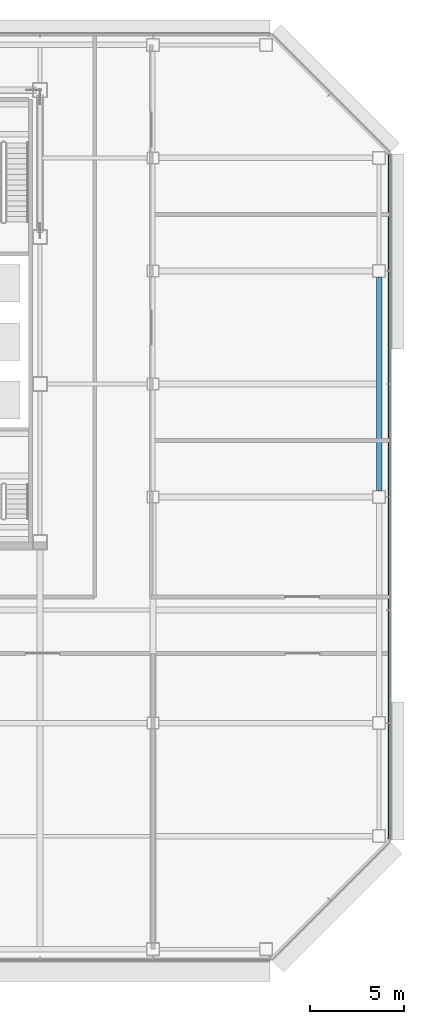
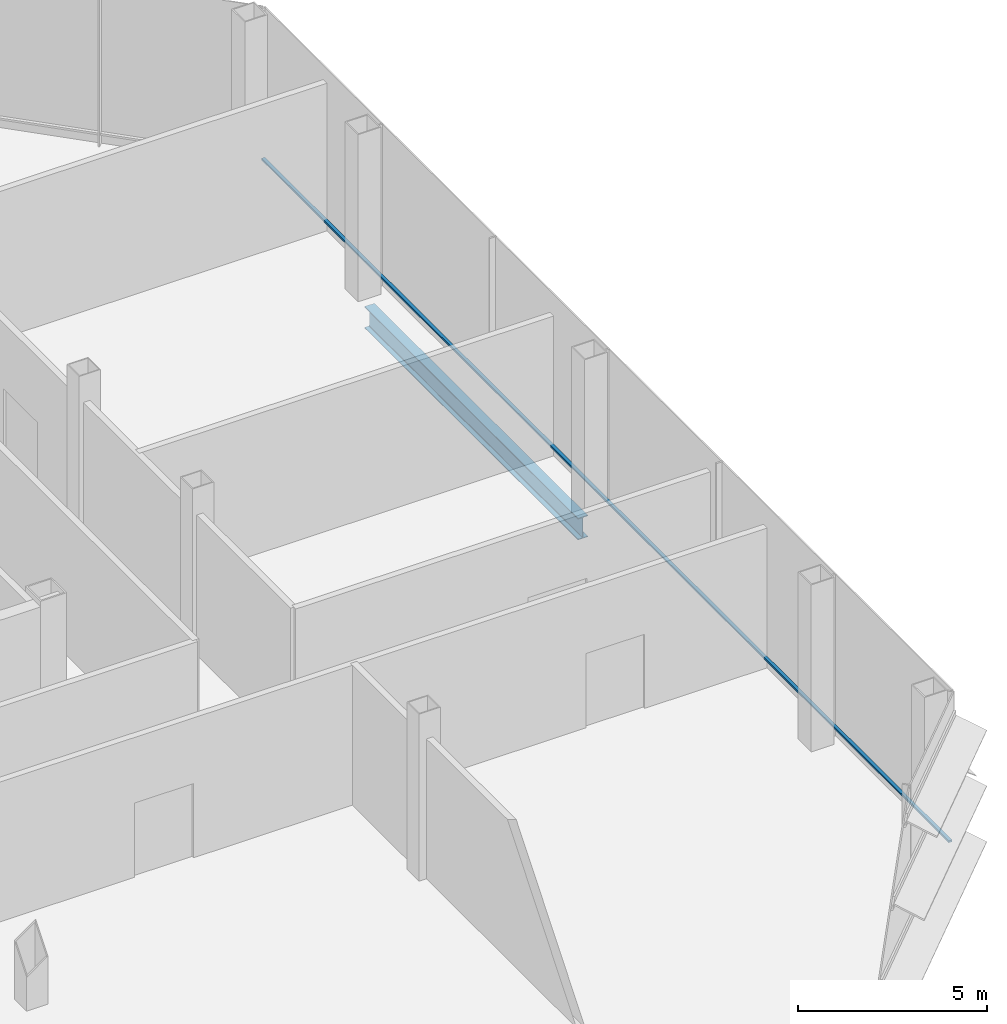
# One storey, part 13 of 24: 1 beam, 1 member, 1 element without a shape of its own.
"""IFC4 building model written with IfcOpenShell, lengths in metres."""

import ifcopenshell
import ifcopenshell.guid

model = None  # the IFC model being written
_history = None  # IfcOwnerHistory: only IFC2X3 demands one
_inside = {}  # id of a spatial element -> (the spatial element, [elements in it])
_under = {}  # id of a project, library or spatial element -> (it, [spatial elements below it])
_declared = {}  # id of a project -> (the project, [libraries it declares])
_typed = {}  # id of a type object -> (the type object, [elements of that type])
_made_of = {}  # id of a material, layer set ... -> (it, [elements and type objects made of it])


def new_model(schema):
    """Start an empty IFC model of exactly this schema.

    Asked for "IFC4X3", IfcOpenShell would pick the latest addendum, in which some entities
    have other attributes; the version numbers below select the first issue.
    IFC2X3 requires an IfcOwnerHistory on every rooted entity: one is made here for all.
    """
    global model, _history
    if schema == "IFC4X3":
        model = ifcopenshell.file(schema_version=(4, 3, 0, 0))
    else:
        model = ifcopenshell.file(schema=schema)
    _inside.clear()
    _under.clear()
    _declared.clear()
    _typed.clear()
    _made_of.clear()
    _history = None
    if model.schema == "IFC2X3":
        org = make("IfcOrganization", Name="unknown")
        user = make(
            "IfcPersonAndOrganization",
            ThePerson=make("IfcPerson", FamilyName="unknown"),
            TheOrganization=org,
        )
        app = make(
            "IfcApplication",
            ApplicationDeveloper=org,
            Version="unknown",
            ApplicationFullName="unknown",
            ApplicationIdentifier="unknown",
        )
        _history = make(
            "IfcOwnerHistory",
            OwningUser=user,
            OwningApplication=app,
            ChangeAction="ADDED",
            CreationDate=0,
        )
    return model


def make(cls, **values):
    """One entity of the class cls with the attributes given. An attribute that is None is left unset."""
    return model.create_entity(
        cls, **{name: value for name, value in values.items() if value is not None}
    )


def rooted(cls, **values):
    """An entity with a GlobalId (a new one), such as an element, a storey or a relation."""
    return make(cls, GlobalId=ifcopenshell.guid.new(), OwnerHistory=_history, **values)


def si_unit(unit_type, name, prefix=None):
    """IfcSIUnit, for example si_unit("LENGTHUNIT", "METRE", prefix="MILLI")."""
    return make("IfcSIUnit", UnitType=unit_type, Prefix=prefix, Name=name)


def assignment(units):
    """IfcUnitAssignment: the units of a project."""
    return None if units is None else make("IfcUnitAssignment", Units=units)


def point(xyz):
    """IfcCartesianPoint."""
    return None if xyz is None else make("IfcCartesianPoint", Coordinates=xyz)


def direction(xyz):
    """IfcDirection."""
    return None if xyz is None else make("IfcDirection", DirectionRatios=xyz)


def frame(location, z_axis=None, x_axis=None):
    """IfcAxis2Placement3D, a coordinate frame: its origin and axes. An axis left out is left unset."""
    return make(
        "IfcAxis2Placement3D",
        Location=point(location),
        Axis=direction(z_axis),
        RefDirection=direction(x_axis),
    )


def frame_2d(location, x_axis=None):
    """IfcAxis2Placement2D, a coordinate frame in the plane: its origin and x axis."""
    return make(
        "IfcAxis2Placement2D", Location=point(location), RefDirection=direction(x_axis)
    )


def origin():
    """The frame at (0, 0, 0) with its axes left unset."""
    return frame((0.0, 0.0, 0.0))


def origin_2d():
    """The frame at (0, 0) in the plane with its x axis left unset."""
    return frame_2d((0.0, 0.0))


def place(relative_to, where):
    """IfcLocalPlacement: puts the frame where relative to a parent placement (None: the world)."""
    return make(
        "IfcLocalPlacement", PlacementRelTo=relative_to, RelativePlacement=where
    )


def context(
    kind, dimensions, precision=None, world=None, true_north=None, identifier=None
):
    """IfcGeometricRepresentationContext, for example the 3D "Model" context."""
    return make(
        "IfcGeometricRepresentationContext",
        ContextIdentifier=identifier,
        ContextType=kind,
        CoordinateSpaceDimension=dimensions,
        Precision=precision,
        WorldCoordinateSystem=world,
        TrueNorth=true_north,
    )


def subcontext(parent, identifier, kind, view, scale=None):
    """IfcGeometricRepresentationSubContext, for example "Body" below "Model"."""
    return make(
        "IfcGeometricRepresentationSubContext",
        ContextIdentifier=identifier,
        ContextType=kind,
        ParentContext=parent,
        TargetScale=scale,
        TargetView=view,
    )


def project(units=None, contexts=None):
    """IfcProject with its units and contexts."""
    return rooted(
        "IfcProject",
        Name="project",
        RepresentationContexts=contexts,
        UnitsInContext=assignment(units),
    )


def spatial(cls, under=None, at=None, **own):
    """A site, building, storey or space (cls), placed at a placement, below another one or the project."""
    s = rooted(cls, ObjectPlacement=at, **own)
    if under is not None:
        _under.setdefault(under.id(), (under, []))[1].append(s)
    return s


def profile(cls, at=None, kind="AREA", **sizes):
    """A parametric profile (cls). Its sizes go by their IFC names, for example OverallWidth=200.0."""
    return make(cls, ProfileType=kind, Position=at, **sizes)


def rectangle(**sizes):
    """IfcRectangleProfileDef."""
    return profile("IfcRectangleProfileDef", **sizes)


def i_section(**sizes):
    """IfcIShapeProfileDef."""
    return profile("IfcIShapeProfileDef", **sizes)


def extrude(swept, where, along, depth):
    """IfcExtrudedAreaSolid: the profile swept, set in the frame where, extruded along a direction by depth."""
    return make(
        "IfcExtrudedAreaSolid",
        SweptArea=swept,
        Position=where,
        ExtrudedDirection=direction(along),
        Depth=depth,
    )


def shape(context_of_items, identifier, shape_type, items):
    """IfcShapeRepresentation: the items that make up one representation, for example the "Body"."""
    return make(
        "IfcShapeRepresentation",
        ContextOfItems=context_of_items,
        RepresentationIdentifier=identifier,
        RepresentationType=shape_type,
        Items=items,
    )


def material(Name=None, Category=None):
    """IfcMaterial."""
    return make("IfcMaterial", Name=Name, Category=Category)


def material_profile(
    of_material, cross_section, Name=None, Category=None, Priority=None
):
    """IfcMaterialProfile: a cross section and its material."""
    return make(
        "IfcMaterialProfile",
        Name=Name,
        Material=of_material,
        Profile=cross_section,
        Priority=Priority,
        Category=Category,
    )


def profile_set(profiles, Name=None, composite=None):
    """IfcMaterialProfileSet."""
    return make(
        "IfcMaterialProfileSet",
        Name=Name,
        MaterialProfiles=profiles,
        CompositeProfile=composite,
    )


def made_of(thing, what):
    """Note that an element or type object is made of a material, layer set ...; save() writes the relation."""
    if what is not None:
        _made_of.setdefault(what.id(), (what, []))[1].append(thing)
    return thing


def type_object(cls, material=None, **own):
    """A type object (cls), such as IfcWallType, which elements share."""
    return made_of(rooted(cls, **own), material)


def element(
    cls,
    number,
    at=None,
    inside=None,
    cuts=None,
    type_object=None,
    material=None,
    context=None,
    identifier="Body",
    shape_type=None,
    held_by="IfcProductDefinitionShape",
    body=None,
    shapes=None,
    **own,
):
    """One element of the class cls, such as IfcWall. Its Tag is "e" and its number.

    at: its placement. inside: the storey or other place that contains it. cuts: it is an
    opening in that element (IfcRelVoidsElement). A single representation is given by context,
    identifier, shape_type and body (its items); several are given by shapes. held_by: the class
    of the entity that holds the representations. save() writes the other relations.
    """
    e = rooted(cls, Tag="e%d" % number, ObjectPlacement=at, **own)
    if body is not None:
        shapes = [shape(context, identifier, shape_type, body)]
    if shapes is not None:
        e.Representation = make(held_by, Representations=shapes)
    if inside is not None:
        _inside.setdefault(inside.id(), (inside, []))[1].append(e)
    if cuts is not None:
        rooted(
            "IfcRelVoidsElement", RelatingBuildingElement=cuts, RelatedOpeningElement=e
        )
    if type_object is not None:
        _typed.setdefault(type_object.id(), (type_object, []))[1].append(e)
    return made_of(e, material)


def aggregate(whole, parts):
    """IfcRelAggregates: a whole, such as a stair, and the parts it consists of."""
    return rooted("IfcRelAggregates", RelatingObject=whole, RelatedObjects=parts)


def save(model, path):
    """Write the relations noted so far, then the file.

    IfcRelAggregates (storeys below a building ...), IfcRelContainedInSpatialStructure (elements
    in a storey), IfcRelDefinesByType, IfcRelAssociatesMaterial and IfcRelDeclares: one each for
    every whole, place, type object, material and project.
    """
    for whole, parts in _under.values():
        aggregate(whole, parts)
    for where, things in _inside.values():
        rooted(
            "IfcRelContainedInSpatialStructure",
            RelatedElements=things,
            RelatingStructure=where,
        )
    for kind, things in _typed.values():
        rooted("IfcRelDefinesByType", RelatedObjects=things, RelatingType=kind)
    for what, things in _made_of.values():
        rooted("IfcRelAssociatesMaterial", RelatedObjects=things, RelatingMaterial=what)
    for by, libraries in _declared.values():
        rooted("IfcRelDeclares", RelatingContext=by, RelatedDefinitions=libraries)
    model.write(path)


model = new_model("IFC4")

# Units and contexts
model_context = context("Model", 3, precision=1e-05, world=origin(), true_north=direction((0.0, 1.0)))
body_context = subcontext(model_context, "Body", "Model", "MODEL_VIEW")
ifc_project = project(units=[si_unit("LENGTHUNIT", "METRE"), si_unit("AREAUNIT", "SQUARE_METRE"), si_unit("VOLUMEUNIT", "CUBIC_METRE"), si_unit("PLANEANGLEUNIT", "RADIAN"), si_unit("MASSUNIT", "GRAM", prefix="KILO")], contexts=[model_context])

# Site, building, storey
site_placement = place(None, origin())
site = spatial("IfcSite", under=ifc_project, at=site_placement, CompositionType="ELEMENT")
building_placement = place(site_placement, origin())
building = spatial("IfcBuilding", under=site, at=building_placement, Name="Sorahane Residences", CompositionType="ELEMENT")
storey_placement = place(building_placement, frame((0.0, 0.0, 161.800048828125)))
storey = spatial("IfcBuildingStorey", under=building, at=storey_placement, Name="L37", CompositionType="ELEMENT", Elevation=161.800048828125)

# Curtain wall, member
ifc_material_1 = material(Name="Dark low-e glass and black anodised aluminium", Category="aluminium")
curtain_wall_type = type_object("IfcCurtainWallType", Name="Curtain wall CW-4 Sky floor frameless wall", PredefinedType="NOTDEFINED", material=ifc_material_1)
curtain_wall_placement = place(storey_placement, origin())
curtain_wall = element("IfcCurtainWall", 1, at=curtain_wall_placement, inside=storey, type_object=curtain_wall_type, Name="CW-4 curtain wall L37 E1", PredefinedType="NOTDEFINED")
ifc_material_2 = material(Name="Black anodised aluminium", Category="aluminium")
ifc_material_profile_1 = material_profile(ifc_material_2, rectangle(XDim=0.10009765625, YDim=0.06005859375, at=origin_2d()), Name="Curtain wall transom CW-4 black anodised aluminium 60x100")
ifc_profile_set_1 = profile_set([ifc_material_profile_1], Name="Black anodised aluminium")
member_type = type_object("IfcMemberType", Name="Curtain wall transom CW-4 black anodised aluminium 60x100", PredefinedType="USERDEFINED", material=ifc_profile_set_1)
member_placement = place(storey_placement, frame((60.530029296875, 5.801513671875, 0.349853515625), z_axis=(0.0, 1.0, 0.0), x_axis=(-1.0, 0.0, 0.0)))
member = element("IfcMember", 2, at=member_placement, type_object=member_type, Name="CW-4 transom L37 E1", ObjectType="TRANSOM", PredefinedType="USERDEFINED", context=body_context, shape_type="SweptSolid", body=[
    extrude(rectangle(XDim=0.10009765625, YDim=0.06005859375, at=origin_2d()), origin(), (0.0, 0.0, 1.0), 36.39697265625),
])
aggregate(curtain_wall, [member])

# Beam
ifc_material_3 = material(Name="Steel Q355B", Category="steel")
ifc_material_profile_2 = material_profile(ifc_material_3, i_section(OverallWidth=0.300048828125, OverallDepth=0.699951171875, WebThickness=0.012939453125, FlangeThickness=0.02392578125, FilletRadius=0.028076171875, at=origin_2d()), Name="HN 700x300x13x24")
ifc_profile_set_2 = profile_set([ifc_material_profile_2], Name="Steel Q355B")
beam_type = type_object("IfcBeamType", Name="Steel floor beam HN 700x300x13x24 Q355B", PredefinedType="BEAM", material=ifc_profile_set_2)
beam_placement = place(storey_placement, frame((60.0, 24.35009765625, -0.570068359375), z_axis=(0.0, 1.0, 0.0), x_axis=(-1.0, 0.0, 0.0)))
element("IfcBeam", 3, at=beam_placement, inside=storey, type_object=beam_type, Name="Beam L37 066", PredefinedType="BEAM", context=body_context, shape_type="SweptSolid", body=[
    extrude(i_section(OverallWidth=0.300048828125, OverallDepth=0.699951171875, WebThickness=0.012939453125, FlangeThickness=0.02392578125, FilletRadius=0.028076171875, at=origin_2d()), origin(), (0.0, 0.0, 1.0), 11.2998046875),
])

save(model, "model.ifc")
